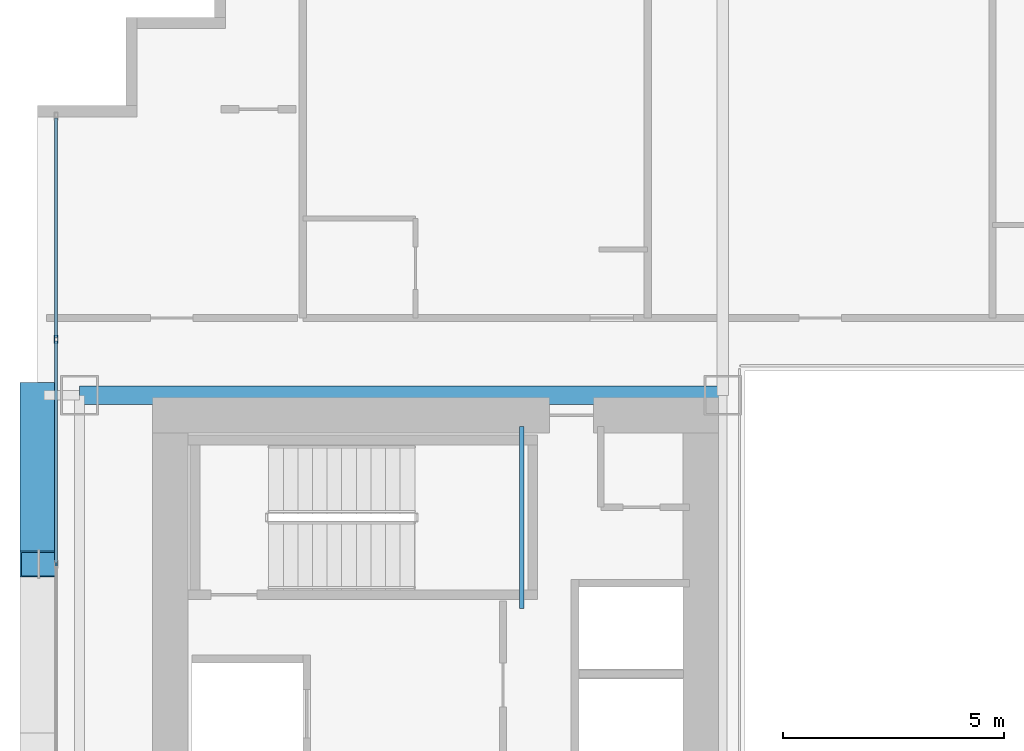
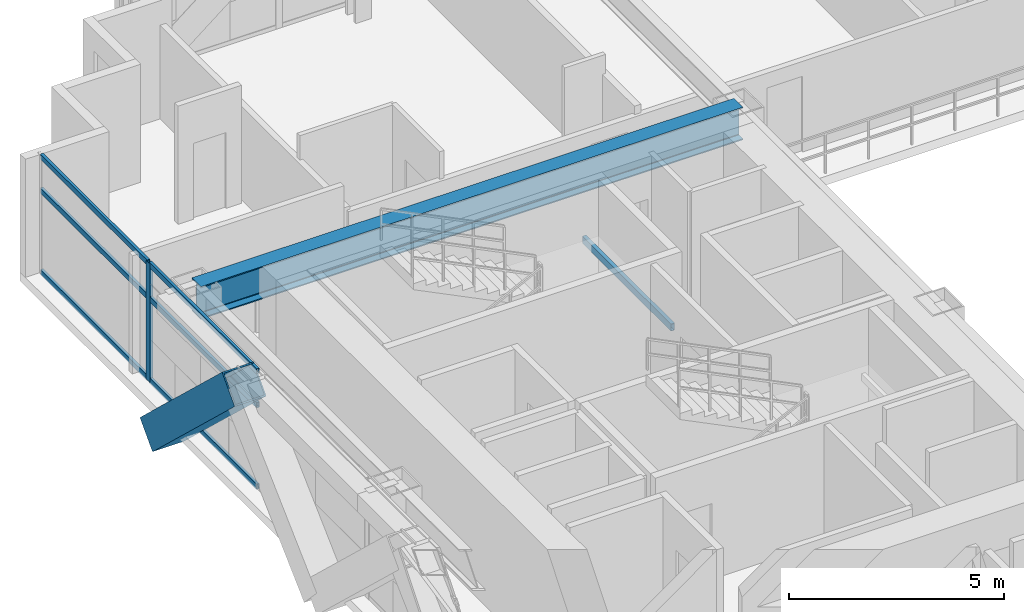
# One storey, part 16 of 35: 8 members, 2 beams, 1 element without a shape of its own.
"""IFC4 building model written with IfcOpenShell, lengths in metres."""

import ifcopenshell
import ifcopenshell.guid

model = None  # the IFC model being written
_history = None  # IfcOwnerHistory: only IFC2X3 demands one
_inside = {}  # id of a spatial element -> (the spatial element, [elements in it])
_under = {}  # id of a project, library or spatial element -> (it, [spatial elements below it])
_declared = {}  # id of a project -> (the project, [libraries it declares])
_typed = {}  # id of a type object -> (the type object, [elements of that type])
_made_of = {}  # id of a material, layer set ... -> (it, [elements and type objects made of it])


def new_model(schema):
    """Start an empty IFC model of exactly this schema.

    Asked for "IFC4X3", IfcOpenShell would pick the latest addendum, in which some entities
    have other attributes; the version numbers below select the first issue.
    IFC2X3 requires an IfcOwnerHistory on every rooted entity: one is made here for all.
    """
    global model, _history
    if schema == "IFC4X3":
        model = ifcopenshell.file(schema_version=(4, 3, 0, 0))
    else:
        model = ifcopenshell.file(schema=schema)
    _inside.clear()
    _under.clear()
    _declared.clear()
    _typed.clear()
    _made_of.clear()
    _history = None
    if model.schema == "IFC2X3":
        org = make("IfcOrganization", Name="unknown")
        user = make(
            "IfcPersonAndOrganization",
            ThePerson=make("IfcPerson", FamilyName="unknown"),
            TheOrganization=org,
        )
        app = make(
            "IfcApplication",
            ApplicationDeveloper=org,
            Version="unknown",
            ApplicationFullName="unknown",
            ApplicationIdentifier="unknown",
        )
        _history = make(
            "IfcOwnerHistory",
            OwningUser=user,
            OwningApplication=app,
            ChangeAction="ADDED",
            CreationDate=0,
        )
    return model


def make(cls, **values):
    """One entity of the class cls with the attributes given. An attribute that is None is left unset."""
    return model.create_entity(
        cls, **{name: value for name, value in values.items() if value is not None}
    )


def rooted(cls, **values):
    """An entity with a GlobalId (a new one), such as an element, a storey or a relation."""
    return make(cls, GlobalId=ifcopenshell.guid.new(), OwnerHistory=_history, **values)


def si_unit(unit_type, name, prefix=None):
    """IfcSIUnit, for example si_unit("LENGTHUNIT", "METRE", prefix="MILLI")."""
    return make("IfcSIUnit", UnitType=unit_type, Prefix=prefix, Name=name)


def assignment(units):
    """IfcUnitAssignment: the units of a project."""
    return None if units is None else make("IfcUnitAssignment", Units=units)


def point(xyz):
    """IfcCartesianPoint."""
    return None if xyz is None else make("IfcCartesianPoint", Coordinates=xyz)


def direction(xyz):
    """IfcDirection."""
    return None if xyz is None else make("IfcDirection", DirectionRatios=xyz)


def frame(location, z_axis=None, x_axis=None):
    """IfcAxis2Placement3D, a coordinate frame: its origin and axes. An axis left out is left unset."""
    return make(
        "IfcAxis2Placement3D",
        Location=point(location),
        Axis=direction(z_axis),
        RefDirection=direction(x_axis),
    )


def frame_2d(location, x_axis=None):
    """IfcAxis2Placement2D, a coordinate frame in the plane: its origin and x axis."""
    return make(
        "IfcAxis2Placement2D", Location=point(location), RefDirection=direction(x_axis)
    )


def origin():
    """The frame at (0, 0, 0) with its axes left unset."""
    return frame((0.0, 0.0, 0.0))


def origin_2d():
    """The frame at (0, 0) in the plane with its x axis left unset."""
    return frame_2d((0.0, 0.0))


def place(relative_to, where):
    """IfcLocalPlacement: puts the frame where relative to a parent placement (None: the world)."""
    return make(
        "IfcLocalPlacement", PlacementRelTo=relative_to, RelativePlacement=where
    )


def context(
    kind, dimensions, precision=None, world=None, true_north=None, identifier=None
):
    """IfcGeometricRepresentationContext, for example the 3D "Model" context."""
    return make(
        "IfcGeometricRepresentationContext",
        ContextIdentifier=identifier,
        ContextType=kind,
        CoordinateSpaceDimension=dimensions,
        Precision=precision,
        WorldCoordinateSystem=world,
        TrueNorth=true_north,
    )


def subcontext(parent, identifier, kind, view, scale=None):
    """IfcGeometricRepresentationSubContext, for example "Body" below "Model"."""
    return make(
        "IfcGeometricRepresentationSubContext",
        ContextIdentifier=identifier,
        ContextType=kind,
        ParentContext=parent,
        TargetScale=scale,
        TargetView=view,
    )


def project(units=None, contexts=None):
    """IfcProject with its units and contexts."""
    return rooted(
        "IfcProject",
        Name="project",
        RepresentationContexts=contexts,
        UnitsInContext=assignment(units),
    )


def spatial(cls, under=None, at=None, **own):
    """A site, building, storey or space (cls), placed at a placement, below another one or the project."""
    s = rooted(cls, ObjectPlacement=at, **own)
    if under is not None:
        _under.setdefault(under.id(), (under, []))[1].append(s)
    return s


def profile(cls, at=None, kind="AREA", **sizes):
    """A parametric profile (cls). Its sizes go by their IFC names, for example OverallWidth=200.0."""
    return make(cls, ProfileType=kind, Position=at, **sizes)


def hollow_rectangle(**sizes):
    """IfcRectangleHollowProfileDef."""
    return profile("IfcRectangleHollowProfileDef", **sizes)


def i_section(**sizes):
    """IfcIShapeProfileDef."""
    return profile("IfcIShapeProfileDef", **sizes)


def extrude(swept, where, along, depth):
    """IfcExtrudedAreaSolid: the profile swept, set in the frame where, extruded along a direction by depth."""
    return make(
        "IfcExtrudedAreaSolid",
        SweptArea=swept,
        Position=where,
        ExtrudedDirection=direction(along),
        Depth=depth,
    )


def shape(context_of_items, identifier, shape_type, items):
    """IfcShapeRepresentation: the items that make up one representation, for example the "Body"."""
    return make(
        "IfcShapeRepresentation",
        ContextOfItems=context_of_items,
        RepresentationIdentifier=identifier,
        RepresentationType=shape_type,
        Items=items,
    )


def source(mapping_origin, context_of_items, identifier, shape_type, items):
    """IfcRepresentationMap: a shape defined once, which mapped items show again and again."""
    return make(
        "IfcRepresentationMap",
        MappingOrigin=mapping_origin,
        MappedRepresentation=shape(context_of_items, identifier, shape_type, items),
    )


def transform(
    local_origin,
    x_axis=None,
    y_axis=None,
    z_axis=None,
    scale=None,
    scale2=None,
    scale3=None,
    uniform=True,
):
    """IfcCartesianTransformationOperator3D, or its non-uniform kind. x_axis, y_axis, z_axis: its Axis1, 2, 3."""
    if uniform:
        return make(
            "IfcCartesianTransformationOperator3D",
            Axis1=direction(x_axis),
            Axis2=direction(y_axis),
            LocalOrigin=point(local_origin),
            Scale=scale,
            Axis3=direction(z_axis),
        )
    return make(
        "IfcCartesianTransformationOperator3DnonUniform",
        Axis1=direction(x_axis),
        Axis2=direction(y_axis),
        LocalOrigin=point(local_origin),
        Scale=scale,
        Axis3=direction(z_axis),
        Scale2=scale2,
        Scale3=scale3,
    )


def mapped(mapping_source, mapping_target):
    """IfcMappedItem: shows the shape of a source again, moved by a transform."""
    return make(
        "IfcMappedItem", MappingSource=mapping_source, MappingTarget=mapping_target
    )


def material(Name=None, Category=None):
    """IfcMaterial."""
    return make("IfcMaterial", Name=Name, Category=Category)


def layer(
    of_material, thickness, ventilated=None, Name=None, Category=None, Priority=None
):
    """IfcMaterialLayer: one layer of a wall or slab, of a material (None: an air gap)."""
    return make(
        "IfcMaterialLayer",
        Material=of_material,
        LayerThickness=thickness,
        IsVentilated=ventilated,
        Name=Name,
        Category=Category,
        Priority=Priority,
    )


def layer_set(layers, Name=None):
    """IfcMaterialLayerSet."""
    return make("IfcMaterialLayerSet", MaterialLayers=layers, LayerSetName=Name)


def material_profile(
    of_material, cross_section, Name=None, Category=None, Priority=None
):
    """IfcMaterialProfile: a cross section and its material."""
    return make(
        "IfcMaterialProfile",
        Name=Name,
        Material=of_material,
        Profile=cross_section,
        Priority=Priority,
        Category=Category,
    )


def profile_set(profiles, Name=None, composite=None):
    """IfcMaterialProfileSet."""
    return make(
        "IfcMaterialProfileSet",
        Name=Name,
        MaterialProfiles=profiles,
        CompositeProfile=composite,
    )


def made_of(thing, what):
    """Note that an element or type object is made of a material, layer set ...; save() writes the relation."""
    if what is not None:
        _made_of.setdefault(what.id(), (what, []))[1].append(thing)
    return thing


def type_object(cls, material=None, **own):
    """A type object (cls), such as IfcWallType, which elements share."""
    return made_of(rooted(cls, **own), material)


def element(
    cls,
    number,
    at=None,
    inside=None,
    cuts=None,
    type_object=None,
    material=None,
    context=None,
    identifier="Body",
    shape_type=None,
    held_by="IfcProductDefinitionShape",
    body=None,
    shapes=None,
    **own,
):
    """One element of the class cls, such as IfcWall. Its Tag is "e" and its number.

    at: its placement. inside: the storey or other place that contains it. cuts: it is an
    opening in that element (IfcRelVoidsElement). A single representation is given by context,
    identifier, shape_type and body (its items); several are given by shapes. held_by: the class
    of the entity that holds the representations. save() writes the other relations.
    """
    e = rooted(cls, Tag="e%d" % number, ObjectPlacement=at, **own)
    if body is not None:
        shapes = [shape(context, identifier, shape_type, body)]
    if shapes is not None:
        e.Representation = make(held_by, Representations=shapes)
    if inside is not None:
        _inside.setdefault(inside.id(), (inside, []))[1].append(e)
    if cuts is not None:
        rooted(
            "IfcRelVoidsElement", RelatingBuildingElement=cuts, RelatedOpeningElement=e
        )
    if type_object is not None:
        _typed.setdefault(type_object.id(), (type_object, []))[1].append(e)
    return made_of(e, material)


def aggregate(whole, parts):
    """IfcRelAggregates: a whole, such as a stair, and the parts it consists of."""
    return rooted("IfcRelAggregates", RelatingObject=whole, RelatedObjects=parts)


def save(model, path):
    """Write the relations noted so far, then the file.

    IfcRelAggregates (storeys below a building ...), IfcRelContainedInSpatialStructure (elements
    in a storey), IfcRelDefinesByType, IfcRelAssociatesMaterial and IfcRelDeclares: one each for
    every whole, place, type object, material and project.
    """
    for whole, parts in _under.values():
        aggregate(whole, parts)
    for where, things in _inside.values():
        rooted(
            "IfcRelContainedInSpatialStructure",
            RelatedElements=things,
            RelatingStructure=where,
        )
    for kind, things in _typed.values():
        rooted("IfcRelDefinesByType", RelatedObjects=things, RelatingType=kind)
    for what, things in _made_of.values():
        rooted("IfcRelAssociatesMaterial", RelatedObjects=things, RelatingMaterial=what)
    for by, libraries in _declared.values():
        rooted("IfcRelDeclares", RelatingContext=by, RelatedDefinitions=libraries)
    model.write(path)


model = new_model("IFC4")

# Units and contexts
model_context = context("Model", 3, precision=1e-05, world=origin(), true_north=direction((0.0, 1.0)))
body_context = subcontext(model_context, "Body", "Model", "MODEL_VIEW")
ifc_project = project(units=[si_unit("LENGTHUNIT", "METRE"), si_unit("AREAUNIT", "SQUARE_METRE"), si_unit("VOLUMEUNIT", "CUBIC_METRE"), si_unit("PLANEANGLEUNIT", "RADIAN"), si_unit("MASSUNIT", "GRAM", prefix="KILO")], contexts=[model_context])

# Site, building, storey
site_placement = place(None, origin())
site = spatial("IfcSite", under=ifc_project, at=site_placement, CompositionType="ELEMENT")
building_placement = place(site_placement, origin())
building = spatial("IfcBuilding", under=site, at=building_placement, Name="Ocotamira Hotel", CompositionType="ELEMENT")
storey_placement = place(building_placement, frame((0.0, 0.0, 63.60009765625)))
storey = spatial("IfcBuildingStorey", under=building, at=storey_placement, Name="L15", CompositionType="ELEMENT", Elevation=63.60009765625)

# Beams
ifc_material_1 = material(Name="Steel ASTM A500 Grade C", Category="steel")
ifc_material_profile_1 = material_profile(ifc_material_1, hollow_rectangle(XDim=0.10009765625, YDim=0.199951171875, WallThickness=0.008056640625, at=origin_2d()), Name="HSS200X100X8")
ifc_profile_set_1 = profile_set([ifc_material_profile_1], Name="Steel ASTM A500 Grade C")
beam_type_1 = type_object("IfcBeamType", Name="BM-STLDG-HSS200", PredefinedType="BEAM", material=ifc_profile_set_1)
shared_shape_1 = source(origin(), body_context, "Body", "SweptSolid", [
    extrude(hollow_rectangle(XDim=0.10009765625, YDim=0.199951171875, WallThickness=0.008056640625, at=origin_2d()), origin(), (0.0, 0.0, 1.0), 4.1201171875),
])
beam_1_placement = place(storey_placement, frame((18.949951171875, 32.6298828125, 1.5), z_axis=(0.0, 1.0, 0.0), x_axis=(-1.0, 0.0, 0.0)))
element("IfcBeam", 1, at=beam_1_placement, inside=storey, type_object=beam_type_1, Name="L15 Stair ST-2 Landing Bearer 1", PredefinedType="BEAM", context=body_context, shape_type="MappedRepresentation", body=[
    mapped(shared_shape_1, transform((0.0, 0.0, 0.0), scale=1.0)),
])
ifc_material_2 = material(Name="Steel ASTM A992 Grade 50", Category="steel")
ifc_material_profile_2 = material_profile(ifc_material_2, i_section(OverallWidth=0.41796875, OverallDepth=0.927001953125, WebThickness=0.019287109375, FlangeThickness=0.031982421875, FilletRadius=0.02392578125, at=origin_2d()), Name="W36X231")
ifc_profile_set_2 = profile_set([ifc_material_profile_2], Name="Steel ASTM A992 Grade 50")
beam_type_2 = type_object("IfcBeamType", Name="BM-GIRD-W36X231", PredefinedType="BEAM", material=ifc_profile_set_2)
shared_shape_2 = source(origin(), body_context, "Body", "SweptSolid", [
    extrude(i_section(OverallWidth=0.41796875, OverallDepth=0.927001953125, WebThickness=0.019287109375, FlangeThickness=0.031982421875, FilletRadius=0.02392578125, at=origin_2d()), origin(), (0.0, 0.0, 1.0), 14.550048828125),
])
beam_2_placement = place(storey_placement, frame((8.949951171875, 37.449951171875, 2.886474609375), z_axis=(1.0, 0.0, 0.0), x_axis=(0.0, 1.0, 0.0)))
element("IfcBeam", 2, at=beam_2_placement, inside=storey, type_object=beam_type_2, Name="L15 Girder Y37.45 X8.95-23.5", PredefinedType="BEAM", context=body_context, shape_type="MappedRepresentation", body=[
    mapped(shared_shape_2, transform((0.0, 0.0, 0.0), scale=1.0)),
])

# Member
ifc_material_3 = material(Name="Pale-metal coated steel ASTM A913 Grade 65", Category="steel")
ifc_material_profile_3 = material_profile(ifc_material_3, hollow_rectangle(XDim=0.85009765625, YDim=0.85009765625, WallThickness=0.035888671875, at=origin_2d()), Name="BOX850X850X36")
ifc_profile_set_3 = profile_set([ifc_material_profile_3], Name="Pale-metal coated steel ASTM A913 Grade 65")
member_type_1 = type_object("IfcMemberType", Name="MEM-EXO-BOX850", PredefinedType="BRACE", material=ifc_profile_set_3)
shared_shape_3 = source(origin(), body_context, "Body", "SweptSolid", [
    extrude(hollow_rectangle(XDim=0.85009765625, YDim=0.85009765625, WallThickness=0.035888671875, at=origin_2d()), origin(), (0.0, 0.0, 1.0), 5.24658203125),
])
member_1_placement = place(storey_placement, frame((8.030029296875, 37.449951171875, -0.5), z_axis=(0.0, -0.72746596067, 0.686143772154), x_axis=(1.0, 0.0, 0.0)))
element("IfcMember", 3, at=member_1_placement, inside=storey, type_object=member_type_1, Name="L15 Exoskeleton Diagrid W2.2", PredefinedType="BRACE", context=body_context, shape_type="MappedRepresentation", body=[
    mapped(shared_shape_3, transform((0.0, 0.0, 0.0), scale=1.0)),
])

# Curtain wall, members
ifc_material_4 = material(Name="Anodised pale-metal aluminium and solar glass", Category="aluminium")
ifc_layer = layer(ifc_material_4, 0.179931640625)
ifc_layer_set = layer_set([ifc_layer], Name="Anodised pale-metal aluminium and solar glass")
curtain_wall_type = type_object("IfcCurtainWallType", Name="CW-SYS2-Z1", PredefinedType="NOTDEFINED", material=ifc_layer_set)
curtain_wall_placement = place(storey_placement, origin())
curtain_wall = element("IfcCurtainWall", 4, at=curtain_wall_placement, inside=storey, type_object=curtain_wall_type, Name="L15 Curtain Wall CW-2 CW-L15-W", PredefinedType="NOTDEFINED")
ifc_material_5 = material(Name="Anodised pale-metal aluminium 6063-T6", Category="aluminium")
ifc_material_profile_4 = material_profile(ifc_material_5, hollow_rectangle(XDim=0.080078125, YDim=0.179931640625, WallThickness=0.006103515625, at=origin_2d()), Name="HSS180X80X6")
ifc_profile_set_4 = profile_set([ifc_material_profile_4], Name="Anodised pale-metal aluminium 6063-T6")
member_type_2 = type_object("IfcMemberType", Name="CWM-180X75", PredefinedType="MULLION", material=ifc_profile_set_4)
shared_shape_4 = source(origin(), body_context, "Body", "SweptSolid", [
    extrude(hollow_rectangle(XDim=0.080078125, YDim=0.179931640625, WallThickness=0.006103515625, at=origin_2d()), origin(), (0.0, 0.0, 1.0), 3.349853515625),
])
member_2_placement = place(storey_placement, frame((8.419921875, 38.71435546875, 0.0), z_axis=(0.0, 0.0, 1.0), x_axis=(-1.0, 0.0, 0.0)))
member_2 = element("IfcMember", 5, at=member_2_placement, type_object=member_type_2, Name="CW-2 mullion 7", PredefinedType="MULLION", context=body_context, shape_type="MappedRepresentation", body=[
    mapped(shared_shape_4, transform((0.0, 0.0, 0.0), scale=1.0)),
])
ifc_material_profile_5 = material_profile(ifc_material_5, hollow_rectangle(XDim=0.074951171875, YDim=0.14990234375, WallThickness=0.006103515625, at=origin_2d()), Name="HSS150X75X6")
ifc_profile_set_5 = profile_set([ifc_material_profile_5], Name="Anodised pale-metal aluminium 6063-T6")
member_type_3 = type_object("IfcMemberType", Name="CWT-150X75", PredefinedType="USERDEFINED", material=ifc_profile_set_5)
shared_shape_5 = source(origin(), body_context, "Body", "SweptSolid", [
    extrude(hollow_rectangle(XDim=0.074951171875, YDim=0.14990234375, WallThickness=0.006103515625, at=origin_2d()), origin(), (0.0, 0.0, 1.0), 4.965576171875),
])
member_3_placement = place(storey_placement, frame((8.419921875, 38.75439453125, 0.037353515625), z_axis=(0.0, 1.0, 0.0), x_axis=(-1.0, 0.0, 0.0)))
member_3 = element("IfcMember", 6, at=member_3_placement, type_object=member_type_3, Name="CW-2 transom 7.1", ObjectType="TRANSOM", PredefinedType="USERDEFINED", context=body_context, shape_type="MappedRepresentation", body=[
    mapped(shared_shape_5, transform((0.0, 0.0, 0.0), scale=1.0)),
])
member_4_placement = place(storey_placement, frame((8.419921875, 38.75439453125, 2.349853515625), z_axis=(0.0, 1.0, 0.0), x_axis=(-1.0, 0.0, 0.0)))
member_4 = element("IfcMember", 7, at=member_4_placement, type_object=member_type_3, Name="CW-2 transom 7.2", ObjectType="TRANSOM", PredefinedType="USERDEFINED", context=body_context, shape_type="MappedRepresentation", body=[
    mapped(shared_shape_5, transform((0.0, 0.0, 0.0), scale=1.0)),
])
member_5_placement = place(storey_placement, frame((8.419921875, 38.75439453125, 3.3125), z_axis=(0.0, 1.0, 0.0), x_axis=(-1.0, 0.0, 0.0)))
member_5 = element("IfcMember", 8, at=member_5_placement, type_object=member_type_3, Name="CW-2 transom 7.3", ObjectType="TRANSOM", PredefinedType="USERDEFINED", context=body_context, shape_type="MappedRepresentation", body=[
    mapped(shared_shape_5, transform((0.0, 0.0, 0.0), scale=1.0)),
])
shared_shape_6 = source(origin(), body_context, "Body", "SweptSolid", [
    extrude(hollow_rectangle(XDim=0.074951171875, YDim=0.14990234375, WallThickness=0.006103515625, at=origin_2d()), origin(), (0.0, 0.0, 1.0), 5.005859375),
])
member_6_placement = place(storey_placement, frame((8.419921875, 33.66845703125, 0.037353515625), z_axis=(0.0, 1.0, 0.0), x_axis=(-1.0, 0.0, 0.0)))
member_6 = element("IfcMember", 9, at=member_6_placement, type_object=member_type_3, Name="CW-2 transom 6.1", ObjectType="TRANSOM", PredefinedType="USERDEFINED", context=body_context, shape_type="MappedRepresentation", body=[
    mapped(shared_shape_6, transform((0.0, 0.0, 0.0), scale=1.0)),
])
member_7_placement = place(storey_placement, frame((8.419921875, 33.66845703125, 2.349853515625), z_axis=(0.0, 1.0, 0.0), x_axis=(-1.0, 0.0, 0.0)))
member_7 = element("IfcMember", 10, at=member_7_placement, type_object=member_type_3, Name="CW-2 transom 6.2", ObjectType="TRANSOM", PredefinedType="USERDEFINED", context=body_context, shape_type="MappedRepresentation", body=[
    mapped(shared_shape_6, transform((0.0, 0.0, 0.0), scale=1.0)),
])
member_8_placement = place(storey_placement, frame((8.419921875, 33.66845703125, 3.3125), z_axis=(0.0, 1.0, 0.0), x_axis=(-1.0, 0.0, 0.0)))
member_8 = element("IfcMember", 11, at=member_8_placement, type_object=member_type_3, Name="CW-2 transom 6.3", ObjectType="TRANSOM", PredefinedType="USERDEFINED", context=body_context, shape_type="MappedRepresentation", body=[
    mapped(shared_shape_6, transform((0.0, 0.0, 0.0), scale=1.0)),
])
aggregate(curtain_wall, [member_2, member_6, member_7, member_8, member_3, member_4, member_5])

save(model, "model.ifc")
